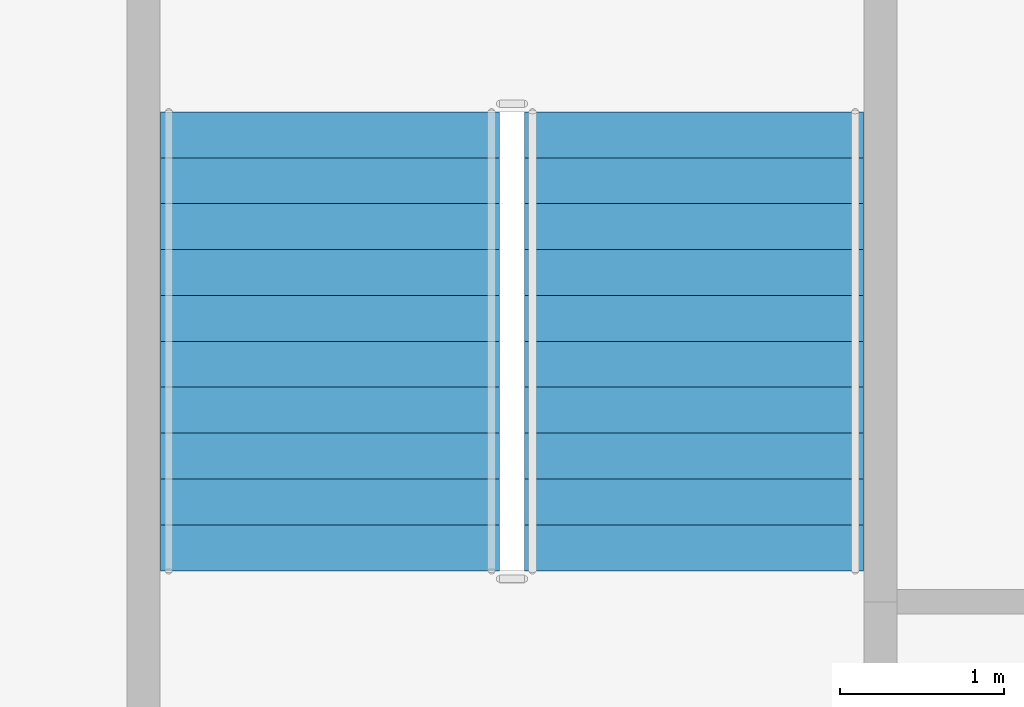
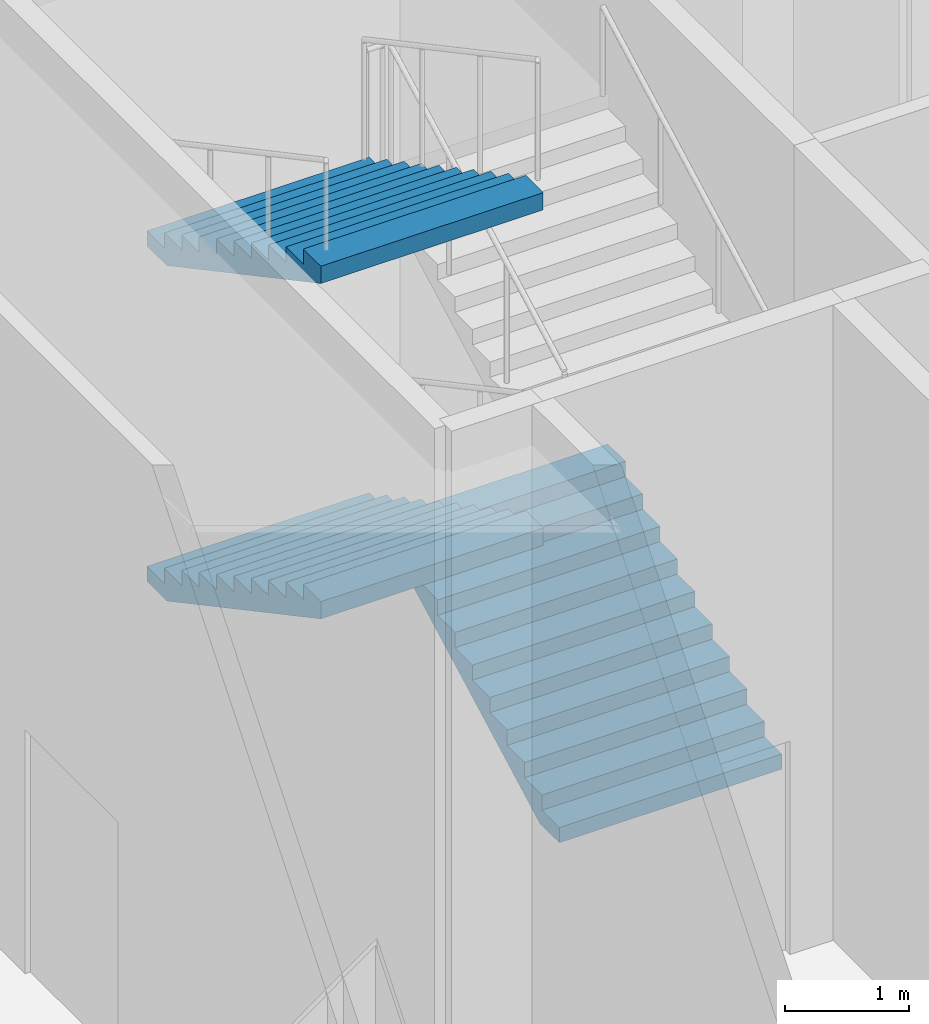
# One storey, part 18 of 38: 3 stair flights, 1 element without a shape of its own.
"""IFC4 building model written with IfcOpenShell, lengths in metres."""

from ifc_helpers import new_model, si_unit, direction, frame, origin, place, context, subcontext, project, spatial, polygons, material, type_object, element, aggregate, save


model = new_model("IFC4")

# Units and contexts
model_context = context("Model", 3, precision=1e-05, world=origin(), true_north=direction((0.0, 1.0)))
body_context = subcontext(model_context, "Body", "Model", "MODEL_VIEW")
ifc_project = project(units=[si_unit("LENGTHUNIT", "METRE"), si_unit("AREAUNIT", "SQUARE_METRE"), si_unit("VOLUMEUNIT", "CUBIC_METRE"), si_unit("PLANEANGLEUNIT", "RADIAN"), si_unit("MASSUNIT", "GRAM", prefix="KILO")], contexts=[model_context])

# Site, building, storey
site_placement = place(None, origin())
site = spatial("IfcSite", under=ifc_project, at=site_placement, CompositionType="ELEMENT")
building_placement = place(site_placement, origin())
building = spatial("IfcBuilding", under=site, at=building_placement, Name="Caravel Reach Hotel and Residences", CompositionType="ELEMENT")
storey_placement = place(building_placement, origin())
storey = spatial("IfcBuildingStorey", under=building, at=storey_placement, Name="L00", CompositionType="ELEMENT", Elevation=0.0)

# Stair, stair flights
ifc_material_1 = material(Name="Concrete C40", Category="concrete")
stair_type = type_object("IfcStairType", Name="Core stair", PredefinedType="HALF_TURN_STAIR", material=ifc_material_1)
stair_placement = place(storey_placement, origin())
stair = element("IfcStair", 1, at=stair_placement, inside=storey, type_object=stair_type, Name="L00 Exit stair P3", PredefinedType="HALF_TURN_STAIR")
ifc_material_2 = material(Name="Concrete C40", Category="concrete")
stair_flight_type = type_object("IfcStairFlightType", Name="Core stair flight", PredefinedType="STRAIGHT", material=ifc_material_2)
stair_flight_1_placement = place(storey_placement, frame((10.110107421875, 13.68994140625, 0.0), z_axis=(0.0, 0.0, 1.0), x_axis=(0.0, 1.0, 0.0)))
stair_flight_1 = element("IfcStairFlight", 2, at=stair_flight_1_placement, type_object=stair_flight_type, Name="ST-P3 flight 1", NumberOfRisers=11, NumberOfTreads=10, PredefinedType="STRAIGHT", RiserHeight=0.15, TreadLength=0.28, context=body_context, shape_type="Tessellation", body=[
    polygons([(0.3174408016601862, 1.0350341796875, 0.0), (0.3174408016601862, 0.6900227864583333, 0.0), (0.3174408016601862, 0.34501139322916663, 0.0), (0.3174408016601862, 0.0, 0.0), (0.3174408016601862, -0.34501139322916674, 0.0), (0.3174408016601862, -0.6900227864583333, 0.0), (0.3174408016601862, -1.0350341796875, 0.0), (2.801, 1.0350341796875, 1.329942427682043), (2.801, 0.6900227864583333, 1.329942427682043), (2.801, 0.34501139322916663, 1.329942427682043), (2.801, 0.0, 1.329942427682043), (2.801, -0.34501139322916674, 1.329942427682043), (2.801, -0.6900227864583333, 1.329942427682043), (2.801, -1.0350341796875, 1.329942427682043), (2.801, 1.0350341796875, 1.5), (2.801, 0.6900227864583333, 1.5), (2.801, 0.34501139322916663, 1.5), (2.801, 0.0, 1.5), (2.801, -0.34501139322916674, 1.5), (2.801, -0.6900227864583333, 1.5), (2.801, -1.0350341796875, 1.5), (2.5200000000000005, 1.0350341796875, 1.5), (2.5200000000000005, 0.6900227864583333, 1.5), (2.5200000000000005, 0.34501139322916663, 1.5), (2.5200000000000005, 0.0, 1.5), (2.5200000000000005, -0.34501139322916674, 1.5), (2.5200000000000005, -0.6900227864583333, 1.5), (2.5200000000000005, -1.0350341796875, 1.5), (2.5200000000000005, 1.0350341796875, 1.3499999999999999), (2.5200000000000005, 0.6900227864583333, 1.3499999999999999), (2.5200000000000005, 0.34501139322916663, 1.3499999999999999), (2.5200000000000005, 0.0, 1.3499999999999999), (2.5200000000000005, -0.34501139322916674, 1.3499999999999999), (2.5200000000000005, -0.6900227864583333, 1.3499999999999999), (2.5200000000000005, -1.0350341796875, 1.3499999999999999), (2.24, 1.0350341796875, 1.3499999999999999), (2.24, 0.6900227864583333, 1.3499999999999999), (2.24, 0.34501139322916663, 1.3499999999999999), (2.24, 0.0, 1.3499999999999999), (2.24, -0.34501139322916674, 1.3499999999999999), (2.24, -0.6900227864583333, 1.3499999999999999), (2.24, -1.0350341796875, 1.3499999999999999), (2.24, 1.0350341796875, 1.2), (2.24, 0.6900227864583333, 1.2), (2.24, 0.34501139322916663, 1.2), (2.24, 0.0, 1.2), (2.24, -0.34501139322916674, 1.2), (2.24, -0.6900227864583333, 1.2), (2.24, -1.0350341796875, 1.2), (1.9600000000000002, 1.0350341796875, 1.2), (1.9600000000000002, 0.6900227864583333, 1.2), (1.9600000000000002, 0.34501139322916663, 1.2), (1.9600000000000002, 0.0, 1.2), (1.9600000000000002, -0.34501139322916674, 1.2), (1.9600000000000002, -0.6900227864583333, 1.2), (1.9600000000000002, -1.0350341796875, 1.2), (1.9600000000000002, 1.0350341796875, 1.05), (1.9600000000000002, 0.6900227864583333, 1.05), (1.9600000000000002, 0.34501139322916663, 1.05), (1.9600000000000002, 0.0, 1.05), (1.9600000000000002, -0.34501139322916674, 1.05), (1.9600000000000002, -0.6900227864583333, 1.05), (1.9600000000000002, -1.0350341796875, 1.05), (1.6800000000000002, 1.0350341796875, 1.05), (1.6800000000000002, 0.6900227864583333, 1.05), (1.6800000000000002, 0.34501139322916663, 1.05), (1.6800000000000002, 0.0, 1.05), (1.6800000000000002, -0.34501139322916674, 1.05), (1.6800000000000002, -0.6900227864583333, 1.05), (1.6800000000000002, -1.0350341796875, 1.05), (1.6800000000000002, 1.0350341796875, 0.8999999999999999), (1.6800000000000002, 0.6900227864583333, 0.8999999999999999), (1.6800000000000002, 0.34501139322916663, 0.8999999999999999), (1.6800000000000002, 0.0, 0.8999999999999999), (1.6800000000000002, -0.34501139322916674, 0.8999999999999999), (1.6800000000000002, -0.6900227864583333, 0.8999999999999999), (1.6800000000000002, -1.0350341796875, 0.8999999999999999), (1.4000000000000001, 1.0350341796875, 0.8999999999999999), (1.4000000000000001, 0.6900227864583333, 0.8999999999999999), (1.4000000000000001, 0.34501139322916663, 0.8999999999999999), (1.4000000000000001, 0.0, 0.8999999999999999), (1.4000000000000001, -0.34501139322916674, 0.8999999999999999), (1.4000000000000001, -0.6900227864583333, 0.8999999999999999), (1.4000000000000001, -1.0350341796875, 0.8999999999999999), (1.4000000000000001, 1.0350341796875, 0.75), (1.4000000000000001, 0.6900227864583333, 0.75), (1.4000000000000001, 0.34501139322916663, 0.75), (1.4000000000000001, 0.0, 0.75), (1.4000000000000001, -0.34501139322916674, 0.75), (1.4000000000000001, -0.6900227864583333, 0.75), (1.4000000000000001, -1.0350341796875, 0.75), (1.12, 1.0350341796875, 0.75), (1.12, 0.6900227864583333, 0.75), (1.12, 0.34501139322916663, 0.75), (1.12, 0.0, 0.75), (1.12, -0.34501139322916674, 0.75), (1.12, -0.6900227864583333, 0.75), (1.12, -1.0350341796875, 0.75), (1.12, 1.0350341796875, 0.6), (1.12, 0.6900227864583333, 0.6), (1.12, 0.34501139322916663, 0.6), (1.12, 0.0, 0.6), (1.12, -0.34501139322916674, 0.6), (1.12, -0.6900227864583333, 0.6), (1.12, -1.0350341796875, 0.6), (0.8400000000000001, 1.0350341796875, 0.6), (0.8400000000000001, 0.6900227864583333, 0.6), (0.8400000000000001, 0.34501139322916663, 0.6), (0.8400000000000001, 0.0, 0.6), (0.8400000000000001, -0.34501139322916674, 0.6), (0.8400000000000001, -0.6900227864583333, 0.6), (0.8400000000000001, -1.0350341796875, 0.6), (0.8400000000000001, 1.0350341796875, 0.44999999999999996), (0.8400000000000001, 0.6900227864583333, 0.44999999999999996), (0.8400000000000001, 0.34501139322916663, 0.44999999999999996), (0.8400000000000001, 0.0, 0.44999999999999996), (0.8400000000000001, -0.34501139322916674, 0.44999999999999996), (0.8400000000000001, -0.6900227864583333, 0.44999999999999996), (0.8400000000000001, -1.0350341796875, 0.44999999999999996), (0.56, 1.0350341796875, 0.44999999999999996), (0.56, 0.6900227864583333, 0.44999999999999996), (0.56, 0.34501139322916663, 0.44999999999999996), (0.56, 0.0, 0.44999999999999996), (0.56, -0.34501139322916674, 0.44999999999999996), (0.56, -0.6900227864583333, 0.44999999999999996), (0.56, -1.0350341796875, 0.44999999999999996), (0.56, 1.0350341796875, 0.3), (0.56, 0.6900227864583333, 0.3), (0.56, 0.34501139322916663, 0.3), (0.56, 0.0, 0.3), (0.56, -0.34501139322916674, 0.3), (0.56, -0.6900227864583333, 0.3), (0.56, -1.0350341796875, 0.3), (0.28, 1.0350341796875, 0.3), (0.28, 0.6900227864583333, 0.3), (0.28, 0.34501139322916663, 0.3), (0.28, 0.0, 0.3), (0.28, -0.34501139322916674, 0.3), (0.28, -0.6900227864583333, 0.3), (0.28, -1.0350341796875, 0.3), (0.28, 1.0350341796875, 0.15), (0.28, 0.6900227864583333, 0.15), (0.28, 0.34501139322916663, 0.15), (0.28, 0.0, 0.15), (0.28, -0.34501139322916674, 0.15), (0.28, -0.6900227864583333, 0.15), (0.28, -1.0350341796875, 0.15), (-0.001, 1.0350341796875, 0.15), (-0.001, 0.6900227864583333, 0.15), (-0.001, 0.34501139322916663, 0.15), (-0.001, 0.0, 0.15), (-0.001, -0.34501139322916674, 0.15), (-0.001, -0.6900227864583333, 0.15), (-0.001, -1.0350341796875, 0.15), (-0.001, 1.0350341796875, 0.0), (-0.001, 0.6900227864583333, 0.0), (-0.001, 0.34501139322916663, 0.0), (-0.001, 0.0, 0.0), (-0.001, -0.34501139322916674, 0.0), (-0.001, -0.6900227864583333, 0.0), (-0.001, -1.0350341796875, 0.0)], [[[155, 148, 141, 134, 127, 120, 113, 106, 99, 92, 85, 78, 71, 64, 57, 50, 43, 36, 29, 22, 15, 8, 1]], [[7, 14, 21, 28, 35, 42, 49, 56, 63, 70, 77, 84, 91, 98, 105, 112, 119, 126, 133, 140, 147, 154, 161]], [[1, 8, 9, 2]], [[2, 9, 10, 3]], [[3, 10, 11, 4]], [[4, 11, 12, 5]], [[5, 12, 13, 6]], [[6, 13, 14, 7]], [[8, 15, 16, 9]], [[9, 16, 17, 10]], [[10, 17, 18, 11]], [[11, 18, 19, 12]], [[12, 19, 20, 13]], [[13, 20, 21, 14]], [[15, 22, 23, 16]], [[16, 23, 24, 17]], [[17, 24, 25, 18]], [[18, 25, 26, 19]], [[19, 26, 27, 20]], [[20, 27, 28, 21]], [[22, 29, 30, 23]], [[23, 30, 31, 24]], [[24, 31, 32, 25]], [[25, 32, 33, 26]], [[26, 33, 34, 27]], [[27, 34, 35, 28]], [[29, 36, 37, 30]], [[30, 37, 38, 31]], [[31, 38, 39, 32]], [[32, 39, 40, 33]], [[33, 40, 41, 34]], [[34, 41, 42, 35]], [[36, 43, 44, 37]], [[37, 44, 45, 38]], [[38, 45, 46, 39]], [[39, 46, 47, 40]], [[40, 47, 48, 41]], [[41, 48, 49, 42]], [[43, 50, 51, 44]], [[44, 51, 52, 45]], [[45, 52, 53, 46]], [[46, 53, 54, 47]], [[47, 54, 55, 48]], [[48, 55, 56, 49]], [[50, 57, 58, 51]], [[51, 58, 59, 52]], [[52, 59, 60, 53]], [[53, 60, 61, 54]], [[54, 61, 62, 55]], [[55, 62, 63, 56]], [[57, 64, 65, 58]], [[58, 65, 66, 59]], [[59, 66, 67, 60]], [[60, 67, 68, 61]], [[61, 68, 69, 62]], [[62, 69, 70, 63]], [[64, 71, 72, 65]], [[65, 72, 73, 66]], [[66, 73, 74, 67]], [[67, 74, 75, 68]], [[68, 75, 76, 69]], [[69, 76, 77, 70]], [[71, 78, 79, 72]], [[72, 79, 80, 73]], [[73, 80, 81, 74]], [[74, 81, 82, 75]], [[75, 82, 83, 76]], [[76, 83, 84, 77]], [[78, 85, 86, 79]], [[79, 86, 87, 80]], [[80, 87, 88, 81]], [[81, 88, 89, 82]], [[82, 89, 90, 83]], [[83, 90, 91, 84]], [[85, 92, 93, 86]], [[86, 93, 94, 87]], [[87, 94, 95, 88]], [[88, 95, 96, 89]], [[89, 96, 97, 90]], [[90, 97, 98, 91]], [[92, 99, 100, 93]], [[93, 100, 101, 94]], [[94, 101, 102, 95]], [[95, 102, 103, 96]], [[96, 103, 104, 97]], [[97, 104, 105, 98]], [[99, 106, 107, 100]], [[100, 107, 108, 101]], [[101, 108, 109, 102]], [[102, 109, 110, 103]], [[103, 110, 111, 104]], [[104, 111, 112, 105]], [[106, 113, 114, 107]], [[107, 114, 115, 108]], [[108, 115, 116, 109]], [[109, 116, 117, 110]], [[110, 117, 118, 111]], [[111, 118, 119, 112]], [[113, 120, 121, 114]], [[114, 121, 122, 115]], [[115, 122, 123, 116]], [[116, 123, 124, 117]], [[117, 124, 125, 118]], [[118, 125, 126, 119]], [[120, 127, 128, 121]], [[121, 128, 129, 122]], [[122, 129, 130, 123]], [[123, 130, 131, 124]], [[124, 131, 132, 125]], [[125, 132, 133, 126]], [[127, 134, 135, 128]], [[128, 135, 136, 129]], [[129, 136, 137, 130]], [[130, 137, 138, 131]], [[131, 138, 139, 132]], [[132, 139, 140, 133]], [[134, 141, 142, 135]], [[135, 142, 143, 136]], [[136, 143, 144, 137]], [[137, 144, 145, 138]], [[138, 145, 146, 139]], [[139, 146, 147, 140]], [[141, 148, 149, 142]], [[142, 149, 150, 143]], [[143, 150, 151, 144]], [[144, 151, 152, 145]], [[145, 152, 153, 146]], [[146, 153, 154, 147]], [[148, 155, 156, 149]], [[149, 156, 157, 150]], [[150, 157, 158, 151]], [[151, 158, 159, 152]], [[152, 159, 160, 153]], [[153, 160, 161, 154]], [[155, 1, 2, 156]], [[156, 2, 3, 157]], [[157, 3, 4, 158]], [[158, 4, 5, 159]], [[159, 5, 6, 160]], [[160, 6, 7, 161]]], closed=True),
])
stair_flight_2_placement = place(storey_placement, frame((7.889892578125, 16.489990234375, 1.64990234375), z_axis=(0.0, 0.0, 1.0), x_axis=(0.0, -1.0, 0.0)))
stair_flight_2 = element("IfcStairFlight", 3, at=stair_flight_2_placement, type_object=stair_flight_type, Name="ST-P3 flight 2", NumberOfRisers=11, NumberOfTreads=10, PredefinedType="STRAIGHT", RiserHeight=0.15, TreadLength=0.28, context=body_context, shape_type="Tessellation", body=[
    polygons([(0.3174408016601862, 1.0350341796875, 0.0), (0.3174408016601862, 0.6900227864583333, 0.0), (0.3174408016601862, 0.34501139322916663, 0.0), (0.3174408016601862, 0.0, 0.0), (0.3174408016601862, -0.34501139322916674, 0.0), (0.3174408016601862, -0.6900227864583333, 0.0), (0.3174408016601862, -1.0350341796875, 0.0), (2.801, 1.0350341796875, 1.329942427682043), (2.801, 0.6900227864583333, 1.329942427682043), (2.801, 0.34501139322916663, 1.329942427682043), (2.801, 0.0, 1.329942427682043), (2.801, -0.34501139322916674, 1.329942427682043), (2.801, -0.6900227864583333, 1.329942427682043), (2.801, -1.0350341796875, 1.329942427682043), (2.801, 1.0350341796875, 1.5), (2.801, 0.6900227864583333, 1.5), (2.801, 0.34501139322916663, 1.5), (2.801, 0.0, 1.5), (2.801, -0.34501139322916674, 1.5), (2.801, -0.6900227864583333, 1.5), (2.801, -1.0350341796875, 1.5), (2.5200000000000005, 1.0350341796875, 1.5), (2.5200000000000005, 0.6900227864583333, 1.5), (2.5200000000000005, 0.34501139322916663, 1.5), (2.5200000000000005, 0.0, 1.5), (2.5200000000000005, -0.34501139322916674, 1.5), (2.5200000000000005, -0.6900227864583333, 1.5), (2.5200000000000005, -1.0350341796875, 1.5), (2.5200000000000005, 1.0350341796875, 1.3499999999999999), (2.5200000000000005, 0.6900227864583333, 1.3499999999999999), (2.5200000000000005, 0.34501139322916663, 1.3499999999999999), (2.5200000000000005, 0.0, 1.3499999999999999), (2.5200000000000005, -0.34501139322916674, 1.3499999999999999), (2.5200000000000005, -0.6900227864583333, 1.3499999999999999), (2.5200000000000005, -1.0350341796875, 1.3499999999999999), (2.24, 1.0350341796875, 1.3499999999999999), (2.24, 0.6900227864583333, 1.3499999999999999), (2.24, 0.34501139322916663, 1.3499999999999999), (2.24, 0.0, 1.3499999999999999), (2.24, -0.34501139322916674, 1.3499999999999999), (2.24, -0.6900227864583333, 1.3499999999999999), (2.24, -1.0350341796875, 1.3499999999999999), (2.24, 1.0350341796875, 1.2), (2.24, 0.6900227864583333, 1.2), (2.24, 0.34501139322916663, 1.2), (2.24, 0.0, 1.2), (2.24, -0.34501139322916674, 1.2), (2.24, -0.6900227864583333, 1.2), (2.24, -1.0350341796875, 1.2), (1.9600000000000002, 1.0350341796875, 1.2), (1.9600000000000002, 0.6900227864583333, 1.2), (1.9600000000000002, 0.34501139322916663, 1.2), (1.9600000000000002, 0.0, 1.2), (1.9600000000000002, -0.34501139322916674, 1.2), (1.9600000000000002, -0.6900227864583333, 1.2), (1.9600000000000002, -1.0350341796875, 1.2), (1.9600000000000002, 1.0350341796875, 1.05), (1.9600000000000002, 0.6900227864583333, 1.05), (1.9600000000000002, 0.34501139322916663, 1.05), (1.9600000000000002, 0.0, 1.05), (1.9600000000000002, -0.34501139322916674, 1.05), (1.9600000000000002, -0.6900227864583333, 1.05), (1.9600000000000002, -1.0350341796875, 1.05), (1.6800000000000002, 1.0350341796875, 1.05), (1.6800000000000002, 0.6900227864583333, 1.05), (1.6800000000000002, 0.34501139322916663, 1.05), (1.6800000000000002, 0.0, 1.05), (1.6800000000000002, -0.34501139322916674, 1.05), (1.6800000000000002, -0.6900227864583333, 1.05), (1.6800000000000002, -1.0350341796875, 1.05), (1.6800000000000002, 1.0350341796875, 0.8999999999999999), (1.6800000000000002, 0.6900227864583333, 0.8999999999999999), (1.6800000000000002, 0.34501139322916663, 0.8999999999999999), (1.6800000000000002, 0.0, 0.8999999999999999), (1.6800000000000002, -0.34501139322916674, 0.8999999999999999), (1.6800000000000002, -0.6900227864583333, 0.8999999999999999), (1.6800000000000002, -1.0350341796875, 0.8999999999999999), (1.4000000000000001, 1.0350341796875, 0.8999999999999999), (1.4000000000000001, 0.6900227864583333, 0.8999999999999999), (1.4000000000000001, 0.34501139322916663, 0.8999999999999999), (1.4000000000000001, 0.0, 0.8999999999999999), (1.4000000000000001, -0.34501139322916674, 0.8999999999999999), (1.4000000000000001, -0.6900227864583333, 0.8999999999999999), (1.4000000000000001, -1.0350341796875, 0.8999999999999999), (1.4000000000000001, 1.0350341796875, 0.75), (1.4000000000000001, 0.6900227864583333, 0.75), (1.4000000000000001, 0.34501139322916663, 0.75), (1.4000000000000001, 0.0, 0.75), (1.4000000000000001, -0.34501139322916674, 0.75), (1.4000000000000001, -0.6900227864583333, 0.75), (1.4000000000000001, -1.0350341796875, 0.75), (1.12, 1.0350341796875, 0.75), (1.12, 0.6900227864583333, 0.75), (1.12, 0.34501139322916663, 0.75), (1.12, 0.0, 0.75), (1.12, -0.34501139322916674, 0.75), (1.12, -0.6900227864583333, 0.75), (1.12, -1.0350341796875, 0.75), (1.12, 1.0350341796875, 0.6), (1.12, 0.6900227864583333, 0.6), (1.12, 0.34501139322916663, 0.6), (1.12, 0.0, 0.6), (1.12, -0.34501139322916674, 0.6), (1.12, -0.6900227864583333, 0.6), (1.12, -1.0350341796875, 0.6), (0.8400000000000001, 1.0350341796875, 0.6), (0.8400000000000001, 0.6900227864583333, 0.6), (0.8400000000000001, 0.34501139322916663, 0.6), (0.8400000000000001, 0.0, 0.6), (0.8400000000000001, -0.34501139322916674, 0.6), (0.8400000000000001, -0.6900227864583333, 0.6), (0.8400000000000001, -1.0350341796875, 0.6), (0.8400000000000001, 1.0350341796875, 0.44999999999999996), (0.8400000000000001, 0.6900227864583333, 0.44999999999999996), (0.8400000000000001, 0.34501139322916663, 0.44999999999999996), (0.8400000000000001, 0.0, 0.44999999999999996), (0.8400000000000001, -0.34501139322916674, 0.44999999999999996), (0.8400000000000001, -0.6900227864583333, 0.44999999999999996), (0.8400000000000001, -1.0350341796875, 0.44999999999999996), (0.56, 1.0350341796875, 0.44999999999999996), (0.56, 0.6900227864583333, 0.44999999999999996), (0.56, 0.34501139322916663, 0.44999999999999996), (0.56, 0.0, 0.44999999999999996), (0.56, -0.34501139322916674, 0.44999999999999996), (0.56, -0.6900227864583333, 0.44999999999999996), (0.56, -1.0350341796875, 0.44999999999999996), (0.56, 1.0350341796875, 0.3), (0.56, 0.6900227864583333, 0.3), (0.56, 0.34501139322916663, 0.3), (0.56, 0.0, 0.3), (0.56, -0.34501139322916674, 0.3), (0.56, -0.6900227864583333, 0.3), (0.56, -1.0350341796875, 0.3), (0.28, 1.0350341796875, 0.3), (0.28, 0.6900227864583333, 0.3), (0.28, 0.34501139322916663, 0.3), (0.28, 0.0, 0.3), (0.28, -0.34501139322916674, 0.3), (0.28, -0.6900227864583333, 0.3), (0.28, -1.0350341796875, 0.3), (0.28, 1.0350341796875, 0.15), (0.28, 0.6900227864583333, 0.15), (0.28, 0.34501139322916663, 0.15), (0.28, 0.0, 0.15), (0.28, -0.34501139322916674, 0.15), (0.28, -0.6900227864583333, 0.15), (0.28, -1.0350341796875, 0.15), (-0.001, 1.0350341796875, 0.15), (-0.001, 0.6900227864583333, 0.15), (-0.001, 0.34501139322916663, 0.15), (-0.001, 0.0, 0.15), (-0.001, -0.34501139322916674, 0.15), (-0.001, -0.6900227864583333, 0.15), (-0.001, -1.0350341796875, 0.15), (-0.001, 1.0350341796875, 0.0), (-0.001, 0.6900227864583333, 0.0), (-0.001, 0.34501139322916663, 0.0), (-0.001, 0.0, 0.0), (-0.001, -0.34501139322916674, 0.0), (-0.001, -0.6900227864583333, 0.0), (-0.001, -1.0350341796875, 0.0)], [[[155, 148, 141, 134, 127, 120, 113, 106, 99, 92, 85, 78, 71, 64, 57, 50, 43, 36, 29, 22, 15, 8, 1]], [[7, 14, 21, 28, 35, 42, 49, 56, 63, 70, 77, 84, 91, 98, 105, 112, 119, 126, 133, 140, 147, 154, 161]], [[1, 8, 9, 2]], [[2, 9, 10, 3]], [[3, 10, 11, 4]], [[4, 11, 12, 5]], [[5, 12, 13, 6]], [[6, 13, 14, 7]], [[8, 15, 16, 9]], [[9, 16, 17, 10]], [[10, 17, 18, 11]], [[11, 18, 19, 12]], [[12, 19, 20, 13]], [[13, 20, 21, 14]], [[15, 22, 23, 16]], [[16, 23, 24, 17]], [[17, 24, 25, 18]], [[18, 25, 26, 19]], [[19, 26, 27, 20]], [[20, 27, 28, 21]], [[22, 29, 30, 23]], [[23, 30, 31, 24]], [[24, 31, 32, 25]], [[25, 32, 33, 26]], [[26, 33, 34, 27]], [[27, 34, 35, 28]], [[29, 36, 37, 30]], [[30, 37, 38, 31]], [[31, 38, 39, 32]], [[32, 39, 40, 33]], [[33, 40, 41, 34]], [[34, 41, 42, 35]], [[36, 43, 44, 37]], [[37, 44, 45, 38]], [[38, 45, 46, 39]], [[39, 46, 47, 40]], [[40, 47, 48, 41]], [[41, 48, 49, 42]], [[43, 50, 51, 44]], [[44, 51, 52, 45]], [[45, 52, 53, 46]], [[46, 53, 54, 47]], [[47, 54, 55, 48]], [[48, 55, 56, 49]], [[50, 57, 58, 51]], [[51, 58, 59, 52]], [[52, 59, 60, 53]], [[53, 60, 61, 54]], [[54, 61, 62, 55]], [[55, 62, 63, 56]], [[57, 64, 65, 58]], [[58, 65, 66, 59]], [[59, 66, 67, 60]], [[60, 67, 68, 61]], [[61, 68, 69, 62]], [[62, 69, 70, 63]], [[64, 71, 72, 65]], [[65, 72, 73, 66]], [[66, 73, 74, 67]], [[67, 74, 75, 68]], [[68, 75, 76, 69]], [[69, 76, 77, 70]], [[71, 78, 79, 72]], [[72, 79, 80, 73]], [[73, 80, 81, 74]], [[74, 81, 82, 75]], [[75, 82, 83, 76]], [[76, 83, 84, 77]], [[78, 85, 86, 79]], [[79, 86, 87, 80]], [[80, 87, 88, 81]], [[81, 88, 89, 82]], [[82, 89, 90, 83]], [[83, 90, 91, 84]], [[85, 92, 93, 86]], [[86, 93, 94, 87]], [[87, 94, 95, 88]], [[88, 95, 96, 89]], [[89, 96, 97, 90]], [[90, 97, 98, 91]], [[92, 99, 100, 93]], [[93, 100, 101, 94]], [[94, 101, 102, 95]], [[95, 102, 103, 96]], [[96, 103, 104, 97]], [[97, 104, 105, 98]], [[99, 106, 107, 100]], [[100, 107, 108, 101]], [[101, 108, 109, 102]], [[102, 109, 110, 103]], [[103, 110, 111, 104]], [[104, 111, 112, 105]], [[106, 113, 114, 107]], [[107, 114, 115, 108]], [[108, 115, 116, 109]], [[109, 116, 117, 110]], [[110, 117, 118, 111]], [[111, 118, 119, 112]], [[113, 120, 121, 114]], [[114, 121, 122, 115]], [[115, 122, 123, 116]], [[116, 123, 124, 117]], [[117, 124, 125, 118]], [[118, 125, 126, 119]], [[120, 127, 128, 121]], [[121, 128, 129, 122]], [[122, 129, 130, 123]], [[123, 130, 131, 124]], [[124, 131, 132, 125]], [[125, 132, 133, 126]], [[127, 134, 135, 128]], [[128, 135, 136, 129]], [[129, 136, 137, 130]], [[130, 137, 138, 131]], [[131, 138, 139, 132]], [[132, 139, 140, 133]], [[134, 141, 142, 135]], [[135, 142, 143, 136]], [[136, 143, 144, 137]], [[137, 144, 145, 138]], [[138, 145, 146, 139]], [[139, 146, 147, 140]], [[141, 148, 149, 142]], [[142, 149, 150, 143]], [[143, 150, 151, 144]], [[144, 151, 152, 145]], [[145, 152, 153, 146]], [[146, 153, 154, 147]], [[148, 155, 156, 149]], [[149, 156, 157, 150]], [[150, 157, 158, 151]], [[151, 158, 159, 152]], [[152, 159, 160, 153]], [[153, 160, 161, 154]], [[155, 1, 2, 156]], [[156, 2, 3, 157]], [[157, 3, 4, 158]], [[158, 4, 5, 159]], [[159, 5, 6, 160]], [[160, 6, 7, 161]]], closed=True),
])
stair_flight_3_placement = place(storey_placement, frame((7.889892578125, 16.489990234375, 4.949951171875), z_axis=(0.0, 0.0, 1.0), x_axis=(0.0, -1.0, 0.0)))
stair_flight_3 = element("IfcStairFlight", 4, at=stair_flight_3_placement, type_object=stair_flight_type, Name="ST-P3 flight 4", NumberOfRisers=11, NumberOfTreads=10, PredefinedType="STRAIGHT", RiserHeight=0.15, TreadLength=0.28, context=body_context, shape_type="Tessellation", body=[
    polygons([(0.3174408016601862, 1.0350341796875, 0.0), (0.3174408016601862, 0.6900227864583333, 0.0), (0.3174408016601862, 0.34501139322916663, 0.0), (0.3174408016601862, 0.0, 0.0), (0.3174408016601862, -0.34501139322916674, 0.0), (0.3174408016601862, -0.6900227864583333, 0.0), (0.3174408016601862, -1.0350341796875, 0.0), (2.801, 1.0350341796875, 1.329942427682043), (2.801, 0.6900227864583333, 1.329942427682043), (2.801, 0.34501139322916663, 1.329942427682043), (2.801, 0.0, 1.329942427682043), (2.801, -0.34501139322916674, 1.329942427682043), (2.801, -0.6900227864583333, 1.329942427682043), (2.801, -1.0350341796875, 1.329942427682043), (2.801, 1.0350341796875, 1.5), (2.801, 0.6900227864583333, 1.5), (2.801, 0.34501139322916663, 1.5), (2.801, 0.0, 1.5), (2.801, -0.34501139322916674, 1.5), (2.801, -0.6900227864583333, 1.5), (2.801, -1.0350341796875, 1.5), (2.5200000000000005, 1.0350341796875, 1.5), (2.5200000000000005, 0.6900227864583333, 1.5), (2.5200000000000005, 0.34501139322916663, 1.5), (2.5200000000000005, 0.0, 1.5), (2.5200000000000005, -0.34501139322916674, 1.5), (2.5200000000000005, -0.6900227864583333, 1.5), (2.5200000000000005, -1.0350341796875, 1.5), (2.5200000000000005, 1.0350341796875, 1.3499999999999999), (2.5200000000000005, 0.6900227864583333, 1.3499999999999999), (2.5200000000000005, 0.34501139322916663, 1.3499999999999999), (2.5200000000000005, 0.0, 1.3499999999999999), (2.5200000000000005, -0.34501139322916674, 1.3499999999999999), (2.5200000000000005, -0.6900227864583333, 1.3499999999999999), (2.5200000000000005, -1.0350341796875, 1.3499999999999999), (2.24, 1.0350341796875, 1.3499999999999999), (2.24, 0.6900227864583333, 1.3499999999999999), (2.24, 0.34501139322916663, 1.3499999999999999), (2.24, 0.0, 1.3499999999999999), (2.24, -0.34501139322916674, 1.3499999999999999), (2.24, -0.6900227864583333, 1.3499999999999999), (2.24, -1.0350341796875, 1.3499999999999999), (2.24, 1.0350341796875, 1.2), (2.24, 0.6900227864583333, 1.2), (2.24, 0.34501139322916663, 1.2), (2.24, 0.0, 1.2), (2.24, -0.34501139322916674, 1.2), (2.24, -0.6900227864583333, 1.2), (2.24, -1.0350341796875, 1.2), (1.9600000000000002, 1.0350341796875, 1.2), (1.9600000000000002, 0.6900227864583333, 1.2), (1.9600000000000002, 0.34501139322916663, 1.2), (1.9600000000000002, 0.0, 1.2), (1.9600000000000002, -0.34501139322916674, 1.2), (1.9600000000000002, -0.6900227864583333, 1.2), (1.9600000000000002, -1.0350341796875, 1.2), (1.9600000000000002, 1.0350341796875, 1.05), (1.9600000000000002, 0.6900227864583333, 1.05), (1.9600000000000002, 0.34501139322916663, 1.05), (1.9600000000000002, 0.0, 1.05), (1.9600000000000002, -0.34501139322916674, 1.05), (1.9600000000000002, -0.6900227864583333, 1.05), (1.9600000000000002, -1.0350341796875, 1.05), (1.6800000000000002, 1.0350341796875, 1.05), (1.6800000000000002, 0.6900227864583333, 1.05), (1.6800000000000002, 0.34501139322916663, 1.05), (1.6800000000000002, 0.0, 1.05), (1.6800000000000002, -0.34501139322916674, 1.05), (1.6800000000000002, -0.6900227864583333, 1.05), (1.6800000000000002, -1.0350341796875, 1.05), (1.6800000000000002, 1.0350341796875, 0.8999999999999999), (1.6800000000000002, 0.6900227864583333, 0.8999999999999999), (1.6800000000000002, 0.34501139322916663, 0.8999999999999999), (1.6800000000000002, 0.0, 0.8999999999999999), (1.6800000000000002, -0.34501139322916674, 0.8999999999999999), (1.6800000000000002, -0.6900227864583333, 0.8999999999999999), (1.6800000000000002, -1.0350341796875, 0.8999999999999999), (1.4000000000000001, 1.0350341796875, 0.8999999999999999), (1.4000000000000001, 0.6900227864583333, 0.8999999999999999), (1.4000000000000001, 0.34501139322916663, 0.8999999999999999), (1.4000000000000001, 0.0, 0.8999999999999999), (1.4000000000000001, -0.34501139322916674, 0.8999999999999999), (1.4000000000000001, -0.6900227864583333, 0.8999999999999999), (1.4000000000000001, -1.0350341796875, 0.8999999999999999), (1.4000000000000001, 1.0350341796875, 0.75), (1.4000000000000001, 0.6900227864583333, 0.75), (1.4000000000000001, 0.34501139322916663, 0.75), (1.4000000000000001, 0.0, 0.75), (1.4000000000000001, -0.34501139322916674, 0.75), (1.4000000000000001, -0.6900227864583333, 0.75), (1.4000000000000001, -1.0350341796875, 0.75), (1.12, 1.0350341796875, 0.75), (1.12, 0.6900227864583333, 0.75), (1.12, 0.34501139322916663, 0.75), (1.12, 0.0, 0.75), (1.12, -0.34501139322916674, 0.75), (1.12, -0.6900227864583333, 0.75), (1.12, -1.0350341796875, 0.75), (1.12, 1.0350341796875, 0.6), (1.12, 0.6900227864583333, 0.6), (1.12, 0.34501139322916663, 0.6), (1.12, 0.0, 0.6), (1.12, -0.34501139322916674, 0.6), (1.12, -0.6900227864583333, 0.6), (1.12, -1.0350341796875, 0.6), (0.8400000000000001, 1.0350341796875, 0.6), (0.8400000000000001, 0.6900227864583333, 0.6), (0.8400000000000001, 0.34501139322916663, 0.6), (0.8400000000000001, 0.0, 0.6), (0.8400000000000001, -0.34501139322916674, 0.6), (0.8400000000000001, -0.6900227864583333, 0.6), (0.8400000000000001, -1.0350341796875, 0.6), (0.8400000000000001, 1.0350341796875, 0.44999999999999996), (0.8400000000000001, 0.6900227864583333, 0.44999999999999996), (0.8400000000000001, 0.34501139322916663, 0.44999999999999996), (0.8400000000000001, 0.0, 0.44999999999999996), (0.8400000000000001, -0.34501139322916674, 0.44999999999999996), (0.8400000000000001, -0.6900227864583333, 0.44999999999999996), (0.8400000000000001, -1.0350341796875, 0.44999999999999996), (0.56, 1.0350341796875, 0.44999999999999996), (0.56, 0.6900227864583333, 0.44999999999999996), (0.56, 0.34501139322916663, 0.44999999999999996), (0.56, 0.0, 0.44999999999999996), (0.56, -0.34501139322916674, 0.44999999999999996), (0.56, -0.6900227864583333, 0.44999999999999996), (0.56, -1.0350341796875, 0.44999999999999996), (0.56, 1.0350341796875, 0.3), (0.56, 0.6900227864583333, 0.3), (0.56, 0.34501139322916663, 0.3), (0.56, 0.0, 0.3), (0.56, -0.34501139322916674, 0.3), (0.56, -0.6900227864583333, 0.3), (0.56, -1.0350341796875, 0.3), (0.28, 1.0350341796875, 0.3), (0.28, 0.6900227864583333, 0.3), (0.28, 0.34501139322916663, 0.3), (0.28, 0.0, 0.3), (0.28, -0.34501139322916674, 0.3), (0.28, -0.6900227864583333, 0.3), (0.28, -1.0350341796875, 0.3), (0.28, 1.0350341796875, 0.15), (0.28, 0.6900227864583333, 0.15), (0.28, 0.34501139322916663, 0.15), (0.28, 0.0, 0.15), (0.28, -0.34501139322916674, 0.15), (0.28, -0.6900227864583333, 0.15), (0.28, -1.0350341796875, 0.15), (-0.001, 1.0350341796875, 0.15), (-0.001, 0.6900227864583333, 0.15), (-0.001, 0.34501139322916663, 0.15), (-0.001, 0.0, 0.15), (-0.001, -0.34501139322916674, 0.15), (-0.001, -0.6900227864583333, 0.15), (-0.001, -1.0350341796875, 0.15), (-0.001, 1.0350341796875, 0.0), (-0.001, 0.6900227864583333, 0.0), (-0.001, 0.34501139322916663, 0.0), (-0.001, 0.0, 0.0), (-0.001, -0.34501139322916674, 0.0), (-0.001, -0.6900227864583333, 0.0), (-0.001, -1.0350341796875, 0.0)], [[[155, 148, 141, 134, 127, 120, 113, 106, 99, 92, 85, 78, 71, 64, 57, 50, 43, 36, 29, 22, 15, 8, 1]], [[7, 14, 21, 28, 35, 42, 49, 56, 63, 70, 77, 84, 91, 98, 105, 112, 119, 126, 133, 140, 147, 154, 161]], [[1, 8, 9, 2]], [[2, 9, 10, 3]], [[3, 10, 11, 4]], [[4, 11, 12, 5]], [[5, 12, 13, 6]], [[6, 13, 14, 7]], [[8, 15, 16, 9]], [[9, 16, 17, 10]], [[10, 17, 18, 11]], [[11, 18, 19, 12]], [[12, 19, 20, 13]], [[13, 20, 21, 14]], [[15, 22, 23, 16]], [[16, 23, 24, 17]], [[17, 24, 25, 18]], [[18, 25, 26, 19]], [[19, 26, 27, 20]], [[20, 27, 28, 21]], [[22, 29, 30, 23]], [[23, 30, 31, 24]], [[24, 31, 32, 25]], [[25, 32, 33, 26]], [[26, 33, 34, 27]], [[27, 34, 35, 28]], [[29, 36, 37, 30]], [[30, 37, 38, 31]], [[31, 38, 39, 32]], [[32, 39, 40, 33]], [[33, 40, 41, 34]], [[34, 41, 42, 35]], [[36, 43, 44, 37]], [[37, 44, 45, 38]], [[38, 45, 46, 39]], [[39, 46, 47, 40]], [[40, 47, 48, 41]], [[41, 48, 49, 42]], [[43, 50, 51, 44]], [[44, 51, 52, 45]], [[45, 52, 53, 46]], [[46, 53, 54, 47]], [[47, 54, 55, 48]], [[48, 55, 56, 49]], [[50, 57, 58, 51]], [[51, 58, 59, 52]], [[52, 59, 60, 53]], [[53, 60, 61, 54]], [[54, 61, 62, 55]], [[55, 62, 63, 56]], [[57, 64, 65, 58]], [[58, 65, 66, 59]], [[59, 66, 67, 60]], [[60, 67, 68, 61]], [[61, 68, 69, 62]], [[62, 69, 70, 63]], [[64, 71, 72, 65]], [[65, 72, 73, 66]], [[66, 73, 74, 67]], [[67, 74, 75, 68]], [[68, 75, 76, 69]], [[69, 76, 77, 70]], [[71, 78, 79, 72]], [[72, 79, 80, 73]], [[73, 80, 81, 74]], [[74, 81, 82, 75]], [[75, 82, 83, 76]], [[76, 83, 84, 77]], [[78, 85, 86, 79]], [[79, 86, 87, 80]], [[80, 87, 88, 81]], [[81, 88, 89, 82]], [[82, 89, 90, 83]], [[83, 90, 91, 84]], [[85, 92, 93, 86]], [[86, 93, 94, 87]], [[87, 94, 95, 88]], [[88, 95, 96, 89]], [[89, 96, 97, 90]], [[90, 97, 98, 91]], [[92, 99, 100, 93]], [[93, 100, 101, 94]], [[94, 101, 102, 95]], [[95, 102, 103, 96]], [[96, 103, 104, 97]], [[97, 104, 105, 98]], [[99, 106, 107, 100]], [[100, 107, 108, 101]], [[101, 108, 109, 102]], [[102, 109, 110, 103]], [[103, 110, 111, 104]], [[104, 111, 112, 105]], [[106, 113, 114, 107]], [[107, 114, 115, 108]], [[108, 115, 116, 109]], [[109, 116, 117, 110]], [[110, 117, 118, 111]], [[111, 118, 119, 112]], [[113, 120, 121, 114]], [[114, 121, 122, 115]], [[115, 122, 123, 116]], [[116, 123, 124, 117]], [[117, 124, 125, 118]], [[118, 125, 126, 119]], [[120, 127, 128, 121]], [[121, 128, 129, 122]], [[122, 129, 130, 123]], [[123, 130, 131, 124]], [[124, 131, 132, 125]], [[125, 132, 133, 126]], [[127, 134, 135, 128]], [[128, 135, 136, 129]], [[129, 136, 137, 130]], [[130, 137, 138, 131]], [[131, 138, 139, 132]], [[132, 139, 140, 133]], [[134, 141, 142, 135]], [[135, 142, 143, 136]], [[136, 143, 144, 137]], [[137, 144, 145, 138]], [[138, 145, 146, 139]], [[139, 146, 147, 140]], [[141, 148, 149, 142]], [[142, 149, 150, 143]], [[143, 150, 151, 144]], [[144, 151, 152, 145]], [[145, 152, 153, 146]], [[146, 153, 154, 147]], [[148, 155, 156, 149]], [[149, 156, 157, 150]], [[150, 157, 158, 151]], [[151, 158, 159, 152]], [[152, 159, 160, 153]], [[153, 160, 161, 154]], [[155, 1, 2, 156]], [[156, 2, 3, 157]], [[157, 3, 4, 158]], [[158, 4, 5, 159]], [[159, 5, 6, 160]], [[160, 6, 7, 161]]], closed=True),
])
aggregate(stair, [stair_flight_1, stair_flight_2, stair_flight_3])

save(model, "model.ifc")
